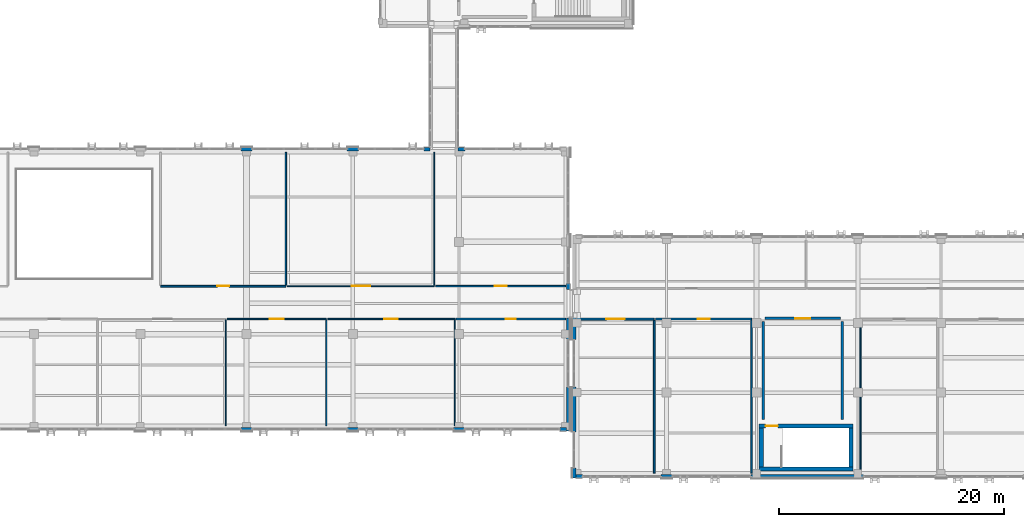
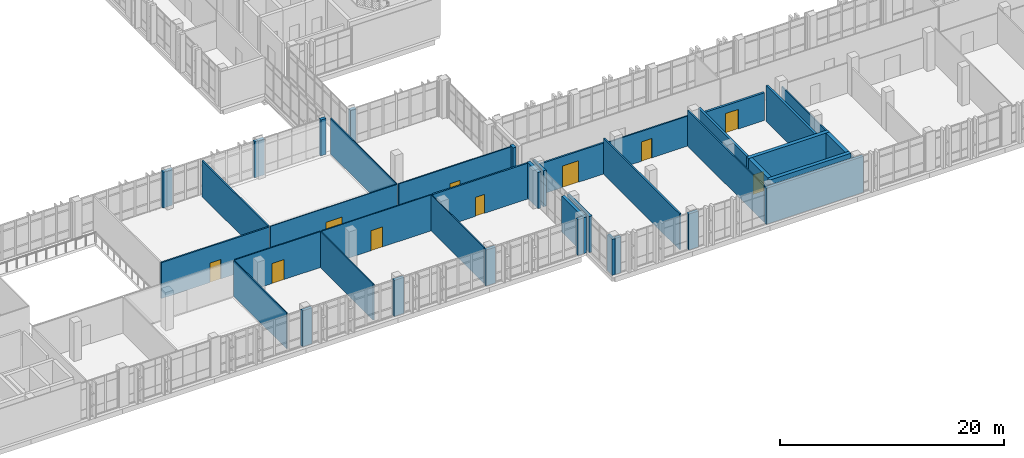
# One storey, part 156 of 193: 40 walls, 10 doors, 10 openings.
"""IFC4 building model written with IfcOpenShell, lengths in metres."""

from ifc_helpers import new_model, si_unit, direction, frame, frame_2d, origin, place, context, subcontext, project, spatial, rectangle, extrude, material, layer, layer_set, type_object, element, fill, save


model = new_model("IFC4")

# Units and contexts
model_context = context("Model", 3, precision=1e-05, world=origin(), true_north=direction((0.0, 1.0)))
body_context = subcontext(model_context, "Body", "Model", "MODEL_VIEW")
ifc_project = project(units=[si_unit("LENGTHUNIT", "METRE"), si_unit("AREAUNIT", "SQUARE_METRE"), si_unit("VOLUMEUNIT", "CUBIC_METRE"), si_unit("PLANEANGLEUNIT", "RADIAN"), si_unit("MASSUNIT", "GRAM", prefix="KILO")], contexts=[model_context])

# Site, building, storey
site_placement = place(None, origin())
site = spatial("IfcSite", under=ifc_project, at=site_placement, CompositionType="ELEMENT")
building_placement = place(site_placement, origin())
building = spatial("IfcBuilding", under=site, at=building_placement, Name="Qalavern Law Courts", CompositionType="ELEMENT")
storey_placement = place(building_placement, frame((0.0, 0.0, 10.199951171875)))
storey = spatial("IfcBuildingStorey", under=building, at=storey_placement, Name="L02", CompositionType="ELEMENT", Elevation=10.199951171875)

# Walls
ifc_material_1 = material(Name="Concrete C40/50", Category="concrete")
ifc_layer_1 = layer(ifc_material_1, 0.31005859375)
ifc_layer_set_1 = layer_set([ifc_layer_1], Name="Concrete C40/50")
wall_type_1 = type_object("IfcWallType", Name="ENV-EW-310", PredefinedType="SOLIDWALL", material=ifc_layer_set_1)
for number, where, z_axis, x_axis, name in (
    (1, (71.93701171875, 5.35498046875, 0.0), (0.0, 0.0, 1.0), (1.0, 0.0, 0.0), "V2 exterior pier wall L02 south 4"),
    (2, (81.391357421875, 5.35498046875, 0.0), (0.0, 0.0, 1.0), (1.0, 0.0, 0.0), "V2 exterior pier wall L02 south 5"),
    (3, (90.845703125, 5.35498046875, 0.0), (0.0, 0.0, 1.0), (1.0, 0.0, 0.0), "V2 exterior pier wall L02 south 6"),
):
    element("IfcWall", number, at=place(storey_placement, frame(where, z_axis=z_axis, x_axis=x_axis)), inside=storey, type_object=wall_type_1, Name=name, PredefinedType="SOLIDWALL", context=body_context, shape_type="SweptSolid", body=[
        extrude(rectangle(XDim=1.0, YDim=0.31005859375, at=frame_2d((0.5, 0.0))), origin(), (0.0, 0.0, 1.0), 3.9150390625),
    ])
wall_1_placement = place(storey_placement, frame((100.300048828125, 5.35498046875, 0.0), z_axis=(0.0, 0.0, 1.0), x_axis=(1.0, 0.0, 0.0)))
element("IfcWall", 4, at=wall_1_placement, inside=storey, type_object=wall_type_1, Name="V2 exterior pier wall L02 south 7", PredefinedType="SOLIDWALL", context=body_context, shape_type="SweptSolid", body=[
    extrude(rectangle(XDim=0.594970703125, YDim=0.31005859375, at=frame_2d((0.29736328125, 0.0))), origin(), (0.0, 0.0, 1.0), 3.9150390625),
])
wall_2_placement = place(storey_placement, frame((101.044921875, 5.199951171875, 0.0), z_axis=(0.0, 0.0, 1.0), x_axis=(0.0, 1.0, 0.0)))
element("IfcWall", 5, at=wall_2_placement, inside=storey, type_object=wall_type_1, Name="V2 exterior pier wall L02 east 1", PredefinedType="SOLIDWALL", context=body_context, shape_type="SweptSolid", body=[
    extrude(rectangle(XDim=3.900146484375, YDim=0.31005859375, at=frame_2d((1.9501953125, 0.0))), origin(), (0.0, 0.0, 1.0), 3.9150390625),
])
wall_3_placement = place(storey_placement, frame((101.044921875, 13.300048828125, 0.0), z_axis=(0.0, 0.0, 1.0), x_axis=(0.0, 1.0, 0.0)))
element("IfcWall", 6, at=wall_3_placement, inside=storey, type_object=wall_type_1, Name="V2 exterior pier wall L02 east 2", PredefinedType="SOLIDWALL", context=body_context, shape_type="SweptSolid", body=[
    extrude(rectangle(XDim=1.949951171875, YDim=0.31005859375, at=frame_2d((0.97509765625, 0.0))), origin(), (0.0, 0.0, 1.0), 3.9150390625),
])
wall_4_placement = place(storey_placement, frame((101.044921875, 17.75, 0.0), z_axis=(0.0, 0.0, 1.0), x_axis=(0.0, 1.0, 0.0)))
element("IfcWall", 7, at=wall_4_placement, inside=storey, type_object=wall_type_1, Name="V2 exterior pier wall L02 east 1", PredefinedType="SOLIDWALL", context=body_context, shape_type="SweptSolid", body=[
    extrude(rectangle(XDim=0.550048828125, YDim=0.31005859375, at=frame_2d((0.27490234375, 0.0))), origin(), (0.0, 0.0, 1.0), 3.9150390625),
])
wall_5_placement = place(storey_placement, frame((91.845703125, 30.2451171875, 0.0), z_axis=(0.0, 0.0, 1.0), x_axis=(-1.0, 0.0, 0.0)))
element("IfcWall", 8, at=wall_5_placement, inside=storey, type_object=wall_type_1, Name="V2 exterior pier wall L02 north 2", PredefinedType="SOLIDWALL", context=body_context, shape_type="SweptSolid", body=[
    extrude(rectangle(XDim=0.595703125, YDim=0.31005859375, at=frame_2d((0.2978515625, 0.0))), origin(), (0.0, 0.0, 1.0), 3.9150390625),
])
wall_6_placement = place(storey_placement, frame((88.75, 30.2451171875, 0.0), z_axis=(0.0, 0.0, 1.0), x_axis=(-1.0, 0.0, 0.0)))
element("IfcWall", 9, at=wall_6_placement, inside=storey, type_object=wall_type_1, Name="V2 exterior pier wall L02 north 1", PredefinedType="SOLIDWALL", context=body_context, shape_type="SweptSolid", body=[
    extrude(rectangle(XDim=0.550048828125, YDim=0.31005859375, at=frame_2d((0.27490234375, 0.0))), origin(), (0.0, 0.0, 1.0), 3.9150390625),
])
for number, where, z_axis, x_axis, name in (
    (10, (82.391357421875, 30.2451171875, 0.0), (0.0, 0.0, 1.0), (-1.0, 0.0, 0.0), "V2 exterior pier wall L02 north 2"),
    (11, (72.93701171875, 30.2451171875, 0.0), (0.0, 0.0, 1.0), (-1.0, 0.0, 0.0), "V2 exterior pier wall L02 north 3"),
):
    element("IfcWall", number, at=place(storey_placement, frame(where, z_axis=z_axis, x_axis=x_axis)), inside=storey, type_object=wall_type_1, Name=name, PredefinedType="SOLIDWALL", context=body_context, shape_type="SweptSolid", body=[
        extrude(rectangle(XDim=1.0, YDim=0.31005859375, at=frame_2d((0.5, 0.0))), origin(), (0.0, 0.0, 1.0), 3.9150390625),
    ])
wall_7_placement = place(storey_placement, frame((101.72509765625, 1.155029296875, 0.0), z_axis=(0.0, 0.0, 1.0), x_axis=(1.0, 0.0, 0.0)))
element("IfcWall", 12, at=wall_7_placement, inside=storey, type_object=wall_type_1, Name="V6 exterior pier wall L02 south 1", PredefinedType="SOLIDWALL", context=body_context, shape_type="SweptSolid", body=[
    extrude(rectangle(XDim=0.594970703125, YDim=0.31005859375, at=frame_2d((0.29736328125, 0.0))), origin(), (0.0, 0.0, 1.0), 3.9150390625),
])
wall_8_placement = place(storey_placement, frame((109.300048828125, 1.155029296875, 0.0), z_axis=(0.0, 0.0, 1.0), x_axis=(1.0, 0.0, 0.0)))
element("IfcWall", 13, at=wall_8_placement, inside=storey, type_object=wall_type_1, Name="V6 exterior pier wall L02 south 2", PredefinedType="SOLIDWALL", context=body_context, shape_type="SweptSolid", body=[
    extrude(rectangle(XDim=1.0, YDim=0.31005859375, at=frame_2d((0.5, 0.0))), origin(), (0.0, 0.0, 1.0), 3.9150390625),
])
wall_9_placement = place(storey_placement, frame((117.300048828125, 1.155029296875, 0.0), z_axis=(0.0, 0.0, 1.0), x_axis=(1.0, 0.0, 0.0)))
element("IfcWall", 14, at=wall_9_placement, inside=storey, type_object=wall_type_1, Name="V6 exterior pier wall L02 south 3", PredefinedType="SOLIDWALL", context=body_context, shape_type="SweptSolid", body=[
    extrude(rectangle(XDim=10.0, YDim=0.31005859375, at=frame_2d((5.0, 0.0))), origin(), (0.0, 0.0, 1.0), 3.9150390625),
])
wall_10_placement = place(storey_placement, frame((101.574951171875, 15.25, 0.0), z_axis=(0.0, 0.0, 1.0), x_axis=(0.0, -1.0, 0.0)))
element("IfcWall", 15, at=wall_10_placement, inside=storey, type_object=wall_type_1, Name="V6 exterior pier wall L02 west 1", PredefinedType="SOLIDWALL", context=body_context, shape_type="SweptSolid", body=[
    extrude(rectangle(XDim=1.949951171875, YDim=0.31005859375, at=frame_2d((0.97509765625, 0.0))), origin(), (0.0, 0.0, 1.0), 3.9150390625),
])
wall_11_placement = place(storey_placement, frame((101.574951171875, 9.10009765625, 0.0), z_axis=(0.0, 0.0, 1.0), x_axis=(0.0, -1.0, 0.0)))
element("IfcWall", 16, at=wall_11_placement, inside=storey, type_object=wall_type_1, Name="V6 exterior pier wall L02 west 2", PredefinedType="SOLIDWALL", context=body_context, shape_type="SweptSolid", body=[
    extrude(rectangle(XDim=4.0, YDim=0.31005859375, at=frame_2d((2.0, 0.0))), origin(), (0.0, 0.0, 1.0), 3.9150390625),
])
wall_12_placement = place(storey_placement, frame((101.574951171875, 1.89990234375, 0.0), z_axis=(0.0, 0.0, 1.0), x_axis=(0.0, -1.0, 0.0)))
element("IfcWall", 17, at=wall_12_placement, inside=storey, type_object=wall_type_1, Name="V6 exterior pier wall L02 west 3", PredefinedType="SOLIDWALL", context=body_context, shape_type="SweptSolid", body=[
    extrude(rectangle(XDim=0.89990234375, YDim=0.31005859375, at=frame_2d((0.449951171875, 0.0))), origin(), (0.0, 0.0, 1.0), 3.9150390625),
])
ifc_material_2 = material(Name="Concrete C45/55", Category="concrete")
ifc_layer_2 = layer(ifc_material_2, 0.375)
ifc_layer_set_2 = layer_set([ifc_layer_2], Name="Concrete C45/55")
wall_type_2 = type_object("IfcWallType", Name="INT-CW-375", PredefinedType="SHEAR", material=ifc_layer_set_2)
wall_13_placement = place(storey_placement, frame((118.02490234375, 1.8125, 0.0), z_axis=(0.0, 0.0, 1.0), x_axis=(1.0, 0.0, 0.0)))
element("IfcWall", 18, at=wall_13_placement, inside=storey, type_object=wall_type_2, Name="Core K5 stair shear wall L02 south", PredefinedType="SHEAR", context=body_context, shape_type="SweptSolid", body=[
    extrude(rectangle(XDim=8.35009765625, YDim=0.375, at=frame_2d((4.175048828125, 0.0))), origin(), (0.0, 0.0, 1.0), 4.199951171875),
])
wall_14_placement = place(storey_placement, frame((126.1875, 2.0, 0.0), z_axis=(0.0, 0.0, 1.0), x_axis=(0.0, 1.0, 0.0)))
element("IfcWall", 19, at=wall_14_placement, inside=storey, type_object=wall_type_2, Name="Core K5 stair shear wall L02 east", PredefinedType="SHEAR", context=body_context, shape_type="SweptSolid", body=[
    extrude(rectangle(XDim=3.449951171875, YDim=0.375, at=frame_2d((1.72509765625, 0.0))), origin(), (0.0, 0.0, 1.0), 4.199951171875),
])

# Wall, opening, door
wall_15_placement = place(storey_placement, frame((126.375, 5.637451171875, 0.0), z_axis=(0.0, 0.0, 1.0), x_axis=(-1.0, 0.0, 0.0)))
wall_15 = element("IfcWall", 20, at=wall_15_placement, inside=storey, type_object=wall_type_2, Name="Core K5 stair shear wall L02 north", PredefinedType="SHEAR", context=body_context, shape_type="SweptSolid", body=[
    extrude(rectangle(XDim=8.35009765625, YDim=0.375, at=frame_2d((4.175048828125, 0.0))), origin(), (0.0, 0.0, 1.0), 4.199951171875),
])
opening_1_placement = place(wall_15_placement, frame((6.675048828125, 0.0, 0.0)))
opening_1 = element("IfcOpeningElement", 21, at=opening_1_placement, cuts=wall_15, Name="Opening L02-D109", PredefinedType="OPENING", context=body_context, shape_type="SweptSolid", body=[
    extrude(rectangle(XDim=1.10009765625, YDim=2.14990234375, at=frame_2d((0.550048828125, 1.074951171875))), frame((0.0, 0.202392578125, 0.0), z_axis=(0.0, -1.0, 0.0), x_axis=(1.0, 0.0, 0.0)), (0.0, 0.0, 1.0), 0.40478515625),
])
ifc_material_3 = material(Name="Steel fire-rated stair enclosure door", Category="steel")
door_type_1 = type_object("IfcDoorType", Name="INT-FD-1100x2150", OperationType="NOTDEFINED", PredefinedType="DOOR", material=ifc_material_3)
door_1_placement = place(opening_1_placement, frame((1.10009765625, 0.0, 0.0), z_axis=(0.0, 0.0, 1.0), x_axis=(-1.0, 0.0, 0.0)))
door_1 = element("IfcDoor", 22, at=door_1_placement, inside=storey, type_object=door_type_1, Name="Stair K5 fire door L02", OperationType="SINGLE_SWING_LEFT", OverallHeight=2.14990234375, OverallWidth=1.10009765625, PredefinedType="DOOR", context=body_context, shape_type="SweptSolid", body=[
    extrude(rectangle(XDim=1.10009765625, YDim=2.14990234375, at=frame_2d((0.550048828125, 1.074951171875))), frame((0.0, 0.02490234375, 0.0), z_axis=(0.0, -1.0, 0.0), x_axis=(1.0, 0.0, 0.0)), (0.0, 0.0, 1.0), 0.050048828125),
])
fill(opening_1, door_1)

# Wall
wall_16_placement = place(storey_placement, frame((118.21240234375, 5.449951171875, 0.0), z_axis=(0.0, 0.0, 1.0), x_axis=(0.0, -1.0, 0.0)))
element("IfcWall", 23, at=wall_16_placement, inside=storey, type_object=wall_type_2, Name="Core K5 stair shear wall L02 west", PredefinedType="SHEAR", context=body_context, shape_type="SweptSolid", body=[
    extrude(rectangle(XDim=3.449951171875, YDim=0.375, at=frame_2d((1.72509765625, 0.0))), origin(), (0.0, 0.0, 1.0), 4.199951171875),
])

# Wall, opening, door
ifc_layer_3 = layer(ifc_material_1, 0.22509765625)
ifc_layer_set_3 = layer_set([ifc_layer_3], Name="Concrete C40/50")
wall_type_3 = type_object("IfcWallType", Name="INT-FW-225", PredefinedType="PARTITIONING", material=ifc_layer_set_3)
wall_17_placement = place(storey_placement, frame((118.550048828125, 15.199951171875, 0.0), z_axis=(0.0, 0.0, 1.0), x_axis=(1.0, 0.0, 0.0)))
wall_17 = element("IfcWall", 24, at=wall_17_placement, inside=storey, type_object=wall_type_3, Name="Core K5 firefighting/stair lobby fire wall L02", PredefinedType="PARTITIONING", context=body_context, shape_type="SweptSolid", body=[
    extrude(rectangle(XDim=6.699951171875, YDim=0.22509765625, at=frame_2d((3.35009765625, 0.0))), origin(), (0.0, 0.0, 1.0), 3.01806640625),
])
opening_2_placement = place(wall_17_placement, frame((2.699951171875, 0.0, 0.0)))
opening_2 = element("IfcOpeningElement", 25, at=opening_2_placement, cuts=wall_17, Name="Opening L02-D110", PredefinedType="OPENING", context=body_context, shape_type="SweptSolid", body=[
    extrude(rectangle(XDim=1.300048828125, YDim=2.14990234375, at=frame_2d((0.64990234375, 1.074951171875))), frame((0.0, 0.12744140625, 0.0), z_axis=(0.0, -1.0, 0.0), x_axis=(1.0, 0.0, 0.0)), (0.0, 0.0, 1.0), 0.2548828125),
])
ifc_material_4 = material(Name="Steel fire-rated frame and acoustic timber leaves", Category="steel")
door_type_2 = type_object("IfcDoorType", Name="INT-FD-1300x2150", OperationType="DOUBLE_DOOR_SINGLE_SWING", PredefinedType="DOOR", material=ifc_material_4)
door_2_placement = place(opening_2_placement, origin())
door_2 = element("IfcDoor", 26, at=door_2_placement, inside=storey, type_object=door_type_2, Name="Core K5 lobby fire door L02", OperationType="DOUBLE_DOOR_SINGLE_SWING", OverallHeight=2.14990234375, OverallWidth=1.300048828125, PredefinedType="DOOR", context=body_context, shape_type="SweptSolid", body=[
    extrude(rectangle(XDim=1.300048828125, YDim=2.14990234375, at=frame_2d((0.64990234375, 1.074951171875))), frame((0.0, 0.02490234375, 0.0), z_axis=(0.0, -1.0, 0.0), x_axis=(1.0, 0.0, 0.0)), (0.0, 0.0, 1.0), 0.050048828125),
])
fill(opening_2, door_2)

# Walls
for number, where, z_axis, x_axis, name in (
    (27, (118.39990234375, 6.199951171875, 0.0), (0.0, 0.0, 1.0), (0.0, 1.0, 0.0), "Core K5 lobby return wall L02 west"),
    (28, (125.39990234375, 6.199951171875, 0.0), (0.0, 0.0, 1.0), (0.0, 1.0, 0.0), "Core K5 lobby return wall L02 east"),
):
    element("IfcWall", number, at=place(storey_placement, frame(where, z_axis=z_axis, x_axis=x_axis)), inside=storey, type_object=wall_type_3, Name=name, PredefinedType="PARTITIONING", context=body_context, shape_type="SweptSolid", body=[
        extrude(rectangle(XDim=8.699951171875, YDim=0.22509765625, at=frame_2d((4.35009765625, 0.0))), origin(), (0.0, 0.0, 1.0), 3.9150390625),
    ])
ifc_material_5 = material(Name="Gypsum shaft/chase partition")
ifc_layer_4 = layer(ifc_material_5, 0.092041015625)
ifc_layer_set_4 = layer_set([ifc_layer_4], Name="Gypsum shaft/chase partition")
wall_type_4 = type_object("IfcWallType", Name="INT-PW-092", PredefinedType="PARTITIONING", material=ifc_layer_set_4)
wall_18_placement = place(storey_placement, frame((70.595947265625, 5.639892578125, 0.0), z_axis=(0.0, 0.0, 1.0), x_axis=(0.0, 1.0, 0.0)))
element("IfcWall", 29, at=wall_18_placement, inside=storey, type_object=wall_type_4, Name="Civil Trial Courtroom cross partition L02 east", PredefinedType="PARTITIONING", context=body_context, shape_type="SweptSolid", body=[
    extrude(rectangle(XDim=9.43408203125, YDim=0.092041015625, at=frame_2d((4.717041015625, 0.0))), origin(), (0.0, 0.0, 1.0), 3.9150390625),
])

# Wall, opening, door
wall_19_placement = place(storey_placement, frame((76.054931640625, 18.06005859375, 0.0), z_axis=(0.0, 0.0, 1.0), x_axis=(1.0, 0.0, 0.0)))
wall_19 = element("IfcWall", 30, at=wall_19_placement, inside=storey, type_object=wall_type_4, Name="Civil Trial Courtroom corridor partition L02", PredefinedType="PARTITIONING", context=body_context, shape_type="SweptSolid", body=[
    extrude(rectangle(XDim=13.088134765625, YDim=0.092041015625, at=frame_2d((6.5439453125, 0.0))), origin(), (0.0, 0.0, 1.0), 3.9150390625),
])
opening_3_placement = place(wall_19_placement, frame((5.718994140625, 0.0, 0.0)))
opening_3 = element("IfcOpeningElement", 31, at=opening_3_placement, cuts=wall_19, Name="Opening L02-D176", PredefinedType="OPENING", context=body_context, shape_type="SweptSolid", body=[
    extrude(rectangle(XDim=1.64990234375, YDim=2.35009765625, at=frame_2d((0.824951171875, 1.175048828125))), frame((0.0, 0.06103515625, 0.0), z_axis=(0.0, -1.0, 0.0), x_axis=(1.0, 0.0, 0.0)), (0.0, 0.0, 1.0), 0.121826171875),
])
ifc_material_6 = material(Name="Acoustic oak double Ceremonial Courtroom door")
door_type_3 = type_object("IfcDoorType", Name="INT-ID-1650x2350", OperationType="DOUBLE_DOOR_SINGLE_SWING", PredefinedType="DOOR", material=ifc_material_6)
door_3_placement = place(opening_3_placement, origin())
door_3 = element("IfcDoor", 32, at=door_3_placement, inside=storey, type_object=door_type_3, Name="Civil Trial Courtroom door L02", OperationType="DOUBLE_DOOR_SINGLE_SWING", OverallHeight=2.35009765625, OverallWidth=1.64990234375, PredefinedType="DOOR", context=body_context, shape_type="SweptSolid", body=[
    extrude(rectangle(XDim=1.64990234375, YDim=2.35009765625, at=frame_2d((0.824951171875, 1.175048828125))), frame((0.0, 0.02490234375, 0.0), z_axis=(0.0, -1.0, 0.0), x_axis=(1.0, 0.0, 0.0)), (0.0, 0.0, 1.0), 0.050048828125),
])
fill(opening_3, door_3)

# Wall
wall_20_placement = place(storey_placement, frame((89.14306640625, 18.1259765625, 0.0), z_axis=(0.0, 0.0, 1.0), x_axis=(0.0, 1.0, 0.0)))
element("IfcWall", 33, at=wall_20_placement, inside=storey, type_object=wall_type_4, Name="Civil Trial Courtroom cross partition L02 east", PredefinedType="PARTITIONING", context=body_context, shape_type="SweptSolid", body=[
    extrude(rectangle(XDim=11.833984375, YDim=0.092041015625, at=frame_2d((5.9169921875, 0.0))), origin(), (0.0, 0.0, 1.0), 3.9150390625),
])

# Wall, opening, door
ifc_material_7 = material(Name="Gypsum sanitary partition")
ifc_layer_5 = layer(ifc_material_7, 0.10205078125)
ifc_layer_set_5 = layer_set([ifc_layer_5], Name="Gypsum sanitary partition")
wall_type_5 = type_object("IfcWallType", Name="INT-PW-102", PredefinedType="PARTITIONING", material=ifc_layer_set_5)
wall_21_placement = place(storey_placement, frame((79.65087890625, 15.139892578125, 0.0), z_axis=(0.0, 0.0, 1.0), x_axis=(1.0, 0.0, 0.0)))
wall_21 = element("IfcWall", 34, at=wall_21_placement, inside=storey, type_object=wall_type_5, Name="Counsel Conference Room corridor partition L02", PredefinedType="PARTITIONING", context=body_context, shape_type="SweptSolid", body=[
    extrude(rectangle(XDim=11.2890625, YDim=0.10205078125, at=frame_2d((5.64453125, 0.0))), origin(), (0.0, 0.0, 1.0), 3.9150390625),
])
opening_4_placement = place(wall_21_placement, frame((5.034423828125, 0.0, 0.0)))
opening_4 = element("IfcOpeningElement", 35, at=opening_4_placement, cuts=wall_21, Name="Opening L02-D173", PredefinedType="OPENING", context=body_context, shape_type="SweptSolid", body=[
    extrude(rectangle(XDim=1.219970703125, YDim=2.179931640625, at=frame_2d((0.60986328125, 1.08984375))), frame((0.0, 0.06591796875, 0.0), z_axis=(0.0, -1.0, 0.0), x_axis=(1.0, 0.0, 0.0)), (0.0, 0.0, 1.0), 0.1318359375),
])
ifc_material_8 = material(Name="Wide oak Plenary Boardroom door")
door_type_4 = type_object("IfcDoorType", Name="INT-ID-1220x2180", OperationType="NOTDEFINED", PredefinedType="DOOR", material=ifc_material_8)
door_4_placement = place(opening_4_placement, frame((1.219970703125, 0.0, 0.0), z_axis=(0.0, 0.0, 1.0), x_axis=(-1.0, 0.0, 0.0)))
door_4 = element("IfcDoor", 36, at=door_4_placement, inside=storey, type_object=door_type_4, Name="Counsel Conference Room door L02", OperationType="SINGLE_SWING_RIGHT", OverallHeight=2.179931640625, OverallWidth=1.219970703125, PredefinedType="DOOR", context=body_context, shape_type="SweptSolid", body=[
    extrude(rectangle(XDim=1.219970703125, YDim=2.179931640625, at=frame_2d((0.60986328125, 1.08984375))), frame((0.0, 0.02490234375, 0.0), z_axis=(0.0, -1.0, 0.0), x_axis=(1.0, 0.0, 0.0)), (0.0, 0.0, 1.0), 0.050048828125),
])
fill(opening_4, door_4)

# Wall
wall_22_placement = place(storey_placement, frame((90.93994140625, 5.639892578125, 0.0), z_axis=(0.0, 0.0, 1.0), x_axis=(0.0, 1.0, 0.0)))
element("IfcWall", 37, at=wall_22_placement, inside=storey, type_object=wall_type_5, Name="Counsel Conference Room cross partition L02 east", PredefinedType="PARTITIONING", context=body_context, shape_type="SweptSolid", body=[
    extrude(rectangle(XDim=9.42919921875, YDim=0.10205078125, at=frame_2d((4.714599609375, 0.0))), origin(), (0.0, 0.0, 1.0), 3.9150390625),
])

# Wall, opening, door
ifc_material_9 = material(Name="Gypsum stud partition")
ifc_layer_6 = layer(ifc_material_9, 0.112060546875)
ifc_layer_set_6 = layer_set([ifc_layer_6], Name="Gypsum stud partition")
wall_type_6 = type_object("IfcWallType", Name="INT-PW-112", PredefinedType="PARTITIONING", material=ifc_layer_set_6)
wall_23_placement = place(storey_placement, frame((70.716064453125, 15.139892578125, 0.0), z_axis=(0.0, 0.0, 1.0), x_axis=(1.0, 0.0, 0.0)))
wall_23 = element("IfcWall", 38, at=wall_23_placement, inside=storey, type_object=wall_type_6, Name="Jury Deliberation Suite corridor partition L02", PredefinedType="PARTITIONING", context=body_context, shape_type="SweptSolid", body=[
    extrude(rectangle(XDim=8.81494140625, YDim=0.112060546875, at=frame_2d((4.407470703125, 0.0))), origin(), (0.0, 0.0, 1.0), 3.9150390625),
])
opening_5_placement = place(wall_23_placement, frame((3.767578125, 0.0, 0.0)))
opening_5 = element("IfcOpeningElement", 39, at=opening_5_placement, cuts=wall_23, Name="Opening L02-D172", PredefinedType="OPENING", context=body_context, shape_type="SweptSolid", body=[
    extrude(rectangle(XDim=1.280029296875, YDim=2.179931640625, at=frame_2d((0.64013671875, 1.08984375))), frame((0.0, 0.07080078125, 0.0), z_axis=(0.0, -1.0, 0.0), x_axis=(1.0, 0.0, 0.0)), (0.0, 0.0, 1.0), 0.141845703125),
])
ifc_material_10 = material(Name="Wide oak Judicial Conference door")
door_type_5 = type_object("IfcDoorType", Name="INT-ID-1280x2180", OperationType="NOTDEFINED", PredefinedType="DOOR", material=ifc_material_10)
door_5_placement = place(opening_5_placement, frame((1.280029296875, 0.0, 0.0), z_axis=(0.0, 0.0, 1.0), x_axis=(-1.0, 0.0, 0.0)))
door_5 = element("IfcDoor", 40, at=door_5_placement, inside=storey, type_object=door_type_5, Name="Jury Deliberation Suite door L02", OperationType="SINGLE_SWING_LEFT", OverallHeight=2.179931640625, OverallWidth=1.280029296875, PredefinedType="DOOR", context=body_context, shape_type="SweptSolid", body=[
    extrude(rectangle(XDim=1.280029296875, YDim=2.179931640625, at=frame_2d((0.64013671875, 1.08984375))), frame((0.0, 0.02490234375, 0.0), z_axis=(0.0, -1.0, 0.0), x_axis=(1.0, 0.0, 0.0)), (0.0, 0.0, 1.0), 0.050048828125),
])
fill(opening_5, door_5)

# Wall
wall_24_placement = place(storey_placement, frame((79.531005859375, 5.639892578125, 0.0), z_axis=(0.0, 0.0, 1.0), x_axis=(0.0, 1.0, 0.0)))
element("IfcWall", 41, at=wall_24_placement, inside=storey, type_object=wall_type_6, Name="Jury Deliberation Suite cross partition L02 east", PredefinedType="PARTITIONING", context=body_context, shape_type="SweptSolid", body=[
    extrude(rectangle(XDim=9.424072265625, YDim=0.112060546875, at=frame_2d((4.7119140625, 0.0))), origin(), (0.0, 0.0, 1.0), 3.9150390625),
])

# Wall, opening, door
ifc_layer_7 = layer(ifc_material_9, 0.132080078125)
ifc_layer_set_7 = layer_set([ifc_layer_7], Name="Gypsum stud partition")
wall_type_7 = type_object("IfcWallType", Name="INT-PW-132", PredefinedType="PARTITIONING", material=ifc_layer_set_7)
wall_25_placement = place(storey_placement, frame((89.262939453125, 18.06005859375, 0.0), z_axis=(0.0, 0.0, 1.0), x_axis=(1.0, 0.0, 0.0)))
wall_25 = element("IfcWall", 42, at=wall_25_placement, inside=storey, type_object=wall_type_7, Name="Jury Deliberation Suite corridor partition L02", PredefinedType="PARTITIONING", context=body_context, shape_type="SweptSolid", body=[
    extrude(rectangle(XDim=11.55712890625, YDim=0.132080078125, at=frame_2d((5.778564453125, 0.0))), origin(), (0.0, 0.0, 1.0), 3.9150390625),
])
opening_6_placement = place(wall_25_placement, frame((5.263427734375, 0.0, 0.0)))
opening_6 = element("IfcOpeningElement", 43, at=opening_6_placement, cuts=wall_25, Name="Opening L02-D177", PredefinedType="OPENING", context=body_context, shape_type="SweptSolid", body=[
    extrude(rectangle(XDim=1.030029296875, YDim=2.110107421875, at=frame_2d((0.51513671875, 1.05517578125))), frame((0.0, 0.0810546875, 0.0), z_axis=(0.0, -1.0, 0.0), x_axis=(1.0, 0.0, 0.0)), (0.0, 0.0, 1.0), 0.161865234375),
])
ifc_material_11 = material(Name="Oak Mediation Suite door")
door_type_6 = type_object("IfcDoorType", Name="INT-ID-1030x2110", OperationType="NOTDEFINED", PredefinedType="DOOR", material=ifc_material_11)
door_6_placement = place(opening_6_placement, origin())
door_6 = element("IfcDoor", 44, at=door_6_placement, inside=storey, type_object=door_type_6, Name="Jury Deliberation Suite door L02", OperationType="SINGLE_SWING_LEFT", OverallHeight=2.110107421875, OverallWidth=1.030029296875, PredefinedType="DOOR", context=body_context, shape_type="SweptSolid", body=[
    extrude(rectangle(XDim=1.030029296875, YDim=2.110107421875, at=frame_2d((0.51513671875, 1.05517578125))), frame((0.0, 0.02490234375, 0.0), z_axis=(0.0, -1.0, 0.0), x_axis=(1.0, 0.0, 0.0)), (0.0, 0.0, 1.0), 0.050048828125),
])
fill(opening_6, door_6)

# Wall
wall_26_placement = place(storey_placement, frame((127.0400390625, 1.43994140625, 0.0), z_axis=(0.0, 0.0, 1.0), x_axis=(0.0, 1.0, 0.0)))
element("IfcWall", 45, at=wall_26_placement, inside=storey, type_object=wall_type_7, Name="Family Mediation Suite cross partition L02 west", PredefinedType="PARTITIONING", context=body_context, shape_type="SweptSolid", body=[
    extrude(rectangle(XDim=13.614013671875, YDim=0.132080078125, at=frame_2d((6.80712890625, 0.0))), origin(), (0.0, 0.0, 1.0), 3.1181640625),
])

# Wall, opening, door
ifc_layer_8 = layer(ifc_material_9, 0.14208984375)
ifc_layer_set_8 = layer_set([ifc_layer_8], Name="Gypsum stud partition")
wall_type_8 = type_object("IfcWallType", Name="INT-PW-142", PredefinedType="PARTITIONING", material=ifc_layer_set_8)
wall_27_placement = place(storey_placement, frame((108.81494140625, 15.139892578125, 0.0), z_axis=(0.0, 0.0, 1.0), x_axis=(1.0, 0.0, 0.0)))
wall_27 = element("IfcWall", 46, at=wall_27_placement, inside=storey, type_object=wall_type_8, Name="Counsel Consultation Room corridor partition L02", PredefinedType="PARTITIONING", context=body_context, shape_type="SweptSolid", body=[
    extrude(rectangle(XDim=8.545166015625, YDim=0.14208984375, at=frame_2d((4.2724609375, 0.0))), origin(), (0.0, 0.0, 1.0), 3.26806640625),
])
opening_7_placement = place(wall_27_placement, frame((3.742431640625, 0.0, 0.0)))
opening_7 = element("IfcOpeningElement", 47, at=opening_7_placement, cuts=wall_27, Name="Opening L02-D437", PredefinedType="OPENING", context=body_context, shape_type="SweptSolid", body=[
    extrude(rectangle(XDim=1.06005859375, YDim=2.1201171875, at=frame_2d((0.530029296875, 1.06005859375))), frame((0.0, 0.0859375, 0.0), z_axis=(0.0, -1.0, 0.0), x_axis=(1.0, 0.0, 0.0)), (0.0, 0.0, 1.0), 0.171875),
])
ifc_material_12 = material(Name="Solid oak Trial Judges' Chambers door")
door_type_7 = type_object("IfcDoorType", Name="INT-ID-1060x2120", OperationType="NOTDEFINED", PredefinedType="DOOR", material=ifc_material_12)
door_7_placement = place(opening_7_placement, frame((1.06005859375, 0.0, 0.0), z_axis=(0.0, 0.0, 1.0), x_axis=(-1.0, 0.0, 0.0)))
door_7 = element("IfcDoor", 48, at=door_7_placement, inside=storey, type_object=door_type_7, Name="Counsel Consultation Room door L02", OperationType="SINGLE_SWING_RIGHT", OverallHeight=2.1201171875, OverallWidth=1.06005859375, PredefinedType="DOOR", context=body_context, shape_type="SweptSolid", body=[
    extrude(rectangle(XDim=1.06005859375, YDim=2.1201171875, at=frame_2d((0.530029296875, 1.06005859375))), frame((0.0, 0.02490234375, 0.0), z_axis=(0.0, -1.0, 0.0), x_axis=(1.0, 0.0, 0.0)), (0.0, 0.0, 1.0), 0.050048828125),
])
fill(opening_7, door_7)

# Wall
wall_28_placement = place(storey_placement, frame((117.360107421875, 1.43994140625, 0.0), z_axis=(0.0, 0.0, 1.0), x_axis=(0.0, 1.0, 0.0)))
element("IfcWall", 49, at=wall_28_placement, inside=storey, type_object=wall_type_8, Name="Counsel Consultation Room cross partition L02 east", PredefinedType="PARTITIONING", context=body_context, shape_type="SweptSolid", body=[
    extrude(rectangle(XDim=13.609130859375, YDim=0.14208984375, at=frame_2d((6.8046875, 0.0))), origin(), (0.0, 0.0, 1.0), 3.9150390625),
])

# Wall, opening, door
ifc_layer_9 = layer(ifc_material_9, 0.152099609375)
ifc_layer_set_9 = layer_set([ifc_layer_9], Name="Gypsum stud partition")
wall_type_9 = type_object("IfcWallType", Name="INT-PW-152", PredefinedType="PARTITIONING", material=ifc_layer_set_9)
wall_29_placement = place(storey_placement, frame((64.7900390625, 18.06005859375, 0.0), z_axis=(0.0, 0.0, 1.0), x_axis=(1.0, 0.0, 0.0)))
wall_29 = element("IfcWall", 50, at=wall_29_placement, inside=storey, type_object=wall_type_9, Name="Public Hall Upper Concourse corridor partition L02", PredefinedType="PARTITIONING", context=body_context, shape_type="SweptSolid", body=[
    extrude(rectangle(XDim=11.14501953125, YDim=0.152099609375, at=frame_2d((5.572509765625, 0.0))), origin(), (0.0, 0.0, 1.0), 3.9150390625),
])
opening_8_placement = place(wall_29_placement, frame((5.027587890625, 0.0, 0.0)))
opening_8 = element("IfcOpeningElement", 51, at=opening_8_placement, cuts=wall_29, Name="Opening L02-D175", PredefinedType="OPENING", context=body_context, shape_type="SweptSolid", body=[
    extrude(rectangle(XDim=1.090087890625, YDim=2.1298828125, at=frame_2d((0.544921875, 1.06494140625))), frame((0.0, 0.0908203125, 0.0), z_axis=(0.0, -1.0, 0.0), x_axis=(1.0, 0.0, 0.0)), (0.0, 0.0, 1.0), 0.181884765625),
])
ifc_material_13 = material(Name="Solid oak Senior Judges' Chambers door")
door_type_8 = type_object("IfcDoorType", Name="INT-ID-1090x2130", OperationType="NOTDEFINED", PredefinedType="DOOR", material=ifc_material_13)
door_8_placement = place(opening_8_placement, origin())
door_8 = element("IfcDoor", 52, at=door_8_placement, inside=storey, type_object=door_type_8, Name="Public Hall Upper Concourse door L02", OperationType="SINGLE_SWING_RIGHT", OverallHeight=2.1298828125, OverallWidth=1.090087890625, PredefinedType="DOOR", context=body_context, shape_type="SweptSolid", body=[
    extrude(rectangle(XDim=1.090087890625, YDim=2.1298828125, at=frame_2d((0.544921875, 1.06494140625))), frame((0.0, 0.02490234375, 0.0), z_axis=(0.0, -1.0, 0.0), x_axis=(1.0, 0.0, 0.0)), (0.0, 0.0, 1.0), 0.050048828125),
])
fill(opening_8, door_8)

# Wall
wall_30_placement = place(storey_placement, frame((75.93505859375, 18.156005859375, 0.0), z_axis=(0.0, 0.0, 1.0), x_axis=(0.0, 1.0, 0.0)))
element("IfcWall", 53, at=wall_30_placement, inside=storey, type_object=wall_type_9, Name="Public Hall Upper Concourse cross partition L02 east", PredefinedType="PARTITIONING", context=body_context, shape_type="SweptSolid", body=[
    extrude(rectangle(XDim=11.803955078125, YDim=0.152099609375, at=frame_2d((5.90185546875, 0.0))), origin(), (0.0, 0.0, 1.0), 3.9150390625),
])

# Wall, opening, door
ifc_layer_10 = layer(ifc_material_9, 0.162109375)
ifc_layer_set_10 = layer_set([ifc_layer_10], Name="Gypsum stud partition")
wall_type_10 = type_object("IfcWallType", Name="INT-PW-162", PredefinedType="PARTITIONING", material=ifc_layer_set_10)
wall_31_placement = place(storey_placement, frame((91.06005859375, 15.139892578125, 0.0), z_axis=(0.0, 0.0, 1.0), x_axis=(1.0, 0.0, 0.0)))
wall_31 = element("IfcWall", 54, at=wall_31_placement, inside=storey, type_object=wall_type_10, Name="Public WC corridor partition L02", PredefinedType="PARTITIONING", context=body_context, shape_type="SweptSolid", body=[
    extrude(rectangle(XDim=9.760009765625, YDim=0.162109375, at=frame_2d((4.8798828125, 0.0))), origin(), (0.0, 0.0, 1.0), 3.9150390625),
])
opening_9_placement = place(wall_31_placement, frame((4.419921875, 0.0, 0.0)))
opening_9 = element("IfcOpeningElement", 55, at=opening_9_placement, cuts=wall_31, Name="Opening L02-D174", PredefinedType="OPENING", context=body_context, shape_type="SweptSolid", body=[
    extrude(rectangle(XDim=0.919921875, YDim=2.06005859375, at=frame_2d((0.4599609375, 1.030029296875))), frame((0.0, 0.095947265625, 0.0), z_axis=(0.0, -1.0, 0.0), x_axis=(1.0, 0.0, 0.0)), (0.0, 0.0, 1.0), 0.19189453125),
])
ifc_material_14 = material(Name="Public and Staff WC door")
door_type_9 = type_object("IfcDoorType", Name="INT-ID-920x2060", OperationType="NOTDEFINED", PredefinedType="DOOR", material=ifc_material_14)
door_9_placement = place(opening_9_placement, frame((0.919921875, 0.0, 0.0), z_axis=(0.0, 0.0, 1.0), x_axis=(-1.0, 0.0, 0.0)))
door_9 = element("IfcDoor", 56, at=door_9_placement, inside=storey, type_object=door_type_9, Name="Public WC door L02", OperationType="SINGLE_SWING_LEFT", OverallHeight=2.06005859375, OverallWidth=0.919921875, PredefinedType="DOOR", context=body_context, shape_type="SweptSolid", body=[
    extrude(rectangle(XDim=0.919921875, YDim=2.06005859375, at=frame_2d((0.4599609375, 1.030029296875))), frame((0.0, 0.02490234375, 0.0), z_axis=(0.0, -1.0, 0.0), x_axis=(1.0, 0.0, 0.0)), (0.0, 0.0, 1.0), 0.050048828125),
])
fill(opening_9, door_9)

ifc_material_15 = material(Name="Gypsum acoustic stud partition")
ifc_layer_11 = layer(ifc_material_15, 0.174072265625)
ifc_layer_set_11 = layer_set([ifc_layer_11], Name="Gypsum acoustic stud partition")
wall_type_11 = type_object("IfcWallType", Name="INT-PW-174", PredefinedType="PARTITIONING", material=ifc_layer_set_11)
wall_32_placement = place(storey_placement, frame((101.800048828125, 15.139892578125, 0.0), z_axis=(0.0, 0.0, 1.0), x_axis=(1.0, 0.0, 0.0)))
wall_32 = element("IfcWall", 57, at=wall_32_placement, inside=storey, type_object=wall_type_11, Name="Administrative Courtroom corridor partition L02", PredefinedType="PARTITIONING", context=body_context, shape_type="SweptSolid", body=[
    extrude(rectangle(XDim=6.89501953125, YDim=0.174072265625, at=frame_2d((3.447509765625, 0.0))), origin(), (0.0, 0.0, 1.0), 3.3779296875),
])
opening_10_placement = place(wall_32_placement, frame((2.62255859375, 0.0, 0.0)))
opening_10 = element("IfcOpeningElement", 58, at=opening_10_placement, cuts=wall_32, Name="Opening L02-D436", PredefinedType="OPENING", context=body_context, shape_type="SweptSolid", body=[
    extrude(rectangle(XDim=1.64990234375, YDim=2.35009765625, at=frame_2d((0.824951171875, 1.175048828125))), frame((0.0, 0.10205078125, 0.0), z_axis=(0.0, -1.0, 0.0), x_axis=(1.0, 0.0, 0.0)), (0.0, 0.0, 1.0), 0.203857421875),
])
door_10_placement = place(opening_10_placement, frame((1.64990234375, 0.0, 0.0), z_axis=(0.0, 0.0, 1.0), x_axis=(-1.0, 0.0, 0.0)))
door_10 = element("IfcDoor", 59, at=door_10_placement, inside=storey, type_object=door_type_3, Name="Administrative Courtroom door L02", OperationType="DOUBLE_DOOR_SINGLE_SWING", OverallHeight=2.35009765625, OverallWidth=1.64990234375, PredefinedType="DOOR", context=body_context, shape_type="SweptSolid", body=[
    extrude(rectangle(XDim=1.64990234375, YDim=2.35009765625, at=frame_2d((0.824951171875, 1.175048828125))), frame((0.0, 0.02490234375, 0.0), z_axis=(0.0, -1.0, 0.0), x_axis=(1.0, 0.0, 0.0)), (0.0, 0.0, 1.0), 0.050048828125),
])
fill(opening_10, door_10)

# Wall
wall_33_placement = place(storey_placement, frame((108.695068359375, 1.43994140625, 0.0), z_axis=(0.0, 0.0, 1.0), x_axis=(0.0, 1.0, 0.0)))
element("IfcWall", 60, at=wall_33_placement, inside=storey, type_object=wall_type_11, Name="Administrative Courtroom cross partition L02 east", PredefinedType="PARTITIONING", context=body_context, shape_type="SweptSolid", body=[
    extrude(rectangle(XDim=13.593017578125, YDim=0.174072265625, at=frame_2d((6.79638671875, 0.0))), origin(), (0.0, 0.0, 1.0), 3.9150390625),
])

save(model, "model.ifc")
